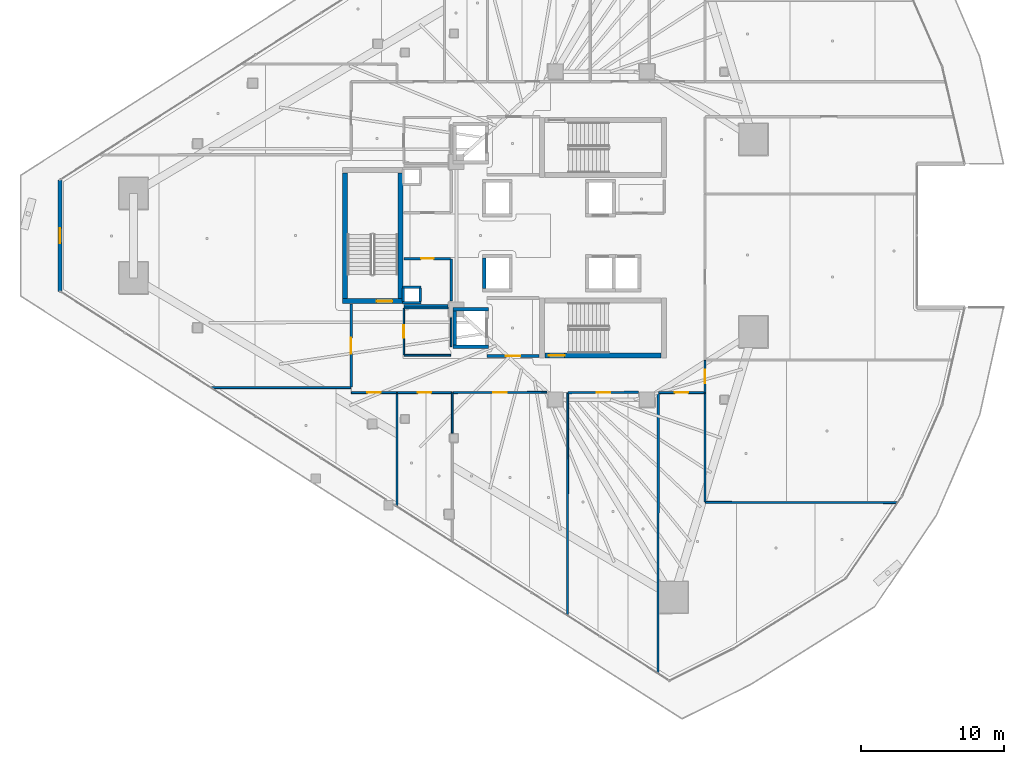
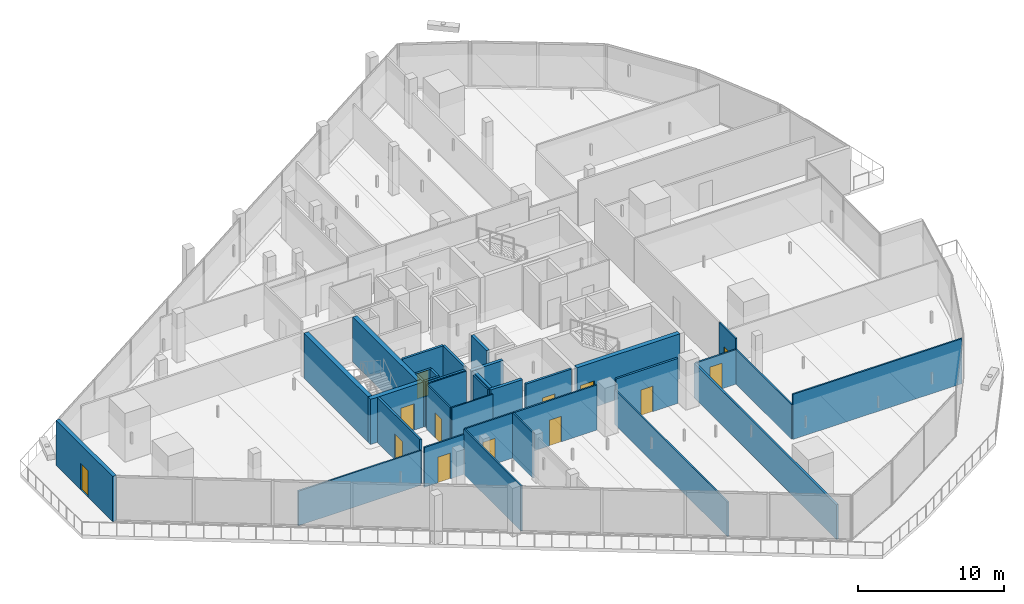
# One storey, part 29 of 44: 35 walls, 13 doors, 13 openings.
"""IFC4 building model written with IfcOpenShell, lengths in metres."""

from ifc_helpers import new_model, si_unit, direction, frame, frame_2d, origin, place, context, subcontext, project, spatial, rectangle, extrude, material, layer, layer_set, type_object, element, fill, save


model = new_model("IFC4")

# Units and contexts
model_context = context("Model", 3, precision=1e-05, world=origin(), true_north=direction((0.0, 1.0)))
body_context = subcontext(model_context, "Body", "Model", "MODEL_VIEW")
ifc_project = project(units=[si_unit("LENGTHUNIT", "METRE"), si_unit("AREAUNIT", "SQUARE_METRE"), si_unit("VOLUMEUNIT", "CUBIC_METRE"), si_unit("PLANEANGLEUNIT", "RADIAN"), si_unit("MASSUNIT", "GRAM", prefix="KILO")], contexts=[model_context])

# Site, building, storey
site_placement = place(None, origin())
site = spatial("IfcSite", under=ifc_project, at=site_placement, CompositionType="ELEMENT")
building_placement = place(site_placement, origin())
building = spatial("IfcBuilding", under=site, at=building_placement, Name="Qorvath Tower", CompositionType="ELEMENT")
storey_placement = place(building_placement, frame((0.0, 0.0, 113.85009765625)))
storey = spatial("IfcBuildingStorey", under=building, at=storey_placement, Name="L25", CompositionType="ELEMENT", Elevation=113.85009765625)

# Walls
ifc_material_1 = material(Name="Gypsum shaftliner on steel studs", Category="steel")
ifc_layer_1 = layer(ifc_material_1, 0.179931640625)
ifc_layer_set_1 = layer_set([ifc_layer_1], Name="FW-LOBBY")
wall_type_1 = type_object("IfcWallType", Name="FW-LOBBY", PredefinedType="PARTITIONING", material=ifc_layer_set_1)
for number, where, z_axis, x_axis, name in (
    (1, (-32.989990234375, -4.675048828125, 0.0), (0.0, 0.0, 1.0), (-1.0, 0.0, 0.0), "MEP Riser Shaft Enclosure Wall S-L25-S"),
    (2, (-34.260009765625, -3.594970703125, 0.0), (0.0, 0.0, 1.0), (1.0, 0.0, 0.0), "MEP Riser Shaft Enclosure Wall S-L25-N"),
):
    element("IfcWall", number, at=place(storey_placement, frame(where, z_axis=z_axis, x_axis=x_axis)), inside=storey, type_object=wall_type_1, Name=name, PredefinedType="PARTITIONING", context=body_context, shape_type="SweptSolid", body=[
        extrude(rectangle(XDim=1.27001953125, YDim=0.179931640625, at=frame_2d((0.635009765625, 0.0))), origin(), (0.0, 0.0, 1.0), 3.77001953125),
    ])
for number, where, z_axis, x_axis, name in (
    (3, (-34.205078125, -4.610107421875, 0.0), (0.0, 0.0, 1.0), (0.0, 1.0, 0.0), "MEP Riser Shaft Enclosure Wall S-L25-W"),
    (4, (-33.044921875, -3.659912109375, 0.0), (0.0, 0.0, 1.0), (0.0, -1.0, 0.0), "MEP Riser Shaft Enclosure Wall S-L25-E"),
):
    element("IfcWall", number, at=place(storey_placement, frame(where, z_axis=z_axis, x_axis=x_axis)), inside=storey, type_object=wall_type_1, Name=name, PredefinedType="PARTITIONING", context=body_context, shape_type="SweptSolid", body=[
        extrude(rectangle(XDim=0.9501953125, YDim=0.179931640625, at=frame_2d((0.47509765625, 0.0))), origin(), (0.0, 0.0, 1.0), 3.77001953125),
    ])

# Wall, opening, door
wall_1_placement = place(storey_placement, frame((-28.35498046875, -8.39990234375, 0.0), z_axis=(0.0, 0.0, 1.0), x_axis=(1.0, 0.0, 0.0)))
wall_1 = element("IfcWall", 5, at=wall_1_placement, inside=storey, type_object=wall_type_1, Name="Interior Partition IW-T1-L25-003", PredefinedType="PARTITIONING", context=body_context, shape_type="SweptSolid", body=[
    extrude(rectangle(XDim=3.6220703125, YDim=0.179931640625, at=frame_2d((1.81103515625, 0.0))), origin(), (0.0, 0.0, 1.0), 3.77001953125),
])
opening_1_placement = place(wall_1_placement, frame((1.31103515625, 0.0, 0.0)))
opening_1 = element("IfcOpeningElement", 6, at=opening_1_placement, cuts=wall_1, Name="Opening D-T1-L25-21", PredefinedType="OPENING", context=body_context, shape_type="SweptSolid", body=[
    extrude(rectangle(XDim=1.0, YDim=2.14990234375, at=frame_2d((0.5, 1.074951171875))), frame((0.0, 0.10009765625, 0.0), z_axis=(0.0, -1.0, 0.0), x_axis=(1.0, 0.0, 0.0)), (0.0, 0.0, 1.0), 0.199951171875),
])
ifc_material_2 = material(Name="Painted galvanised hollow metal", Category="steel")
door_type_1 = type_object("IfcDoorType", Name="FD-60", OperationType="NOTDEFINED", PredefinedType="DOOR", material=ifc_material_2)
door_1_placement = place(opening_1_placement, origin())
door_1 = element("IfcDoor", 7, at=door_1_placement, inside=storey, type_object=door_type_1, Name="Lobby Fire Service Elevator South Door D-T1-L25-21", OperationType="SINGLE_SWING_RIGHT", OverallHeight=2.14990234375, OverallWidth=1.0, PredefinedType="DOOR", context=body_context, shape_type="SweptSolid", body=[
    extrude(rectangle(XDim=1.0, YDim=2.14990234375, at=frame_2d((0.5, 1.074951171875))), frame((0.0, 0.02490234375, 0.0), z_axis=(0.0, -1.0, 0.0), x_axis=(1.0, 0.0, 0.0)), (0.0, 0.0, 1.0), 0.050048828125),
])
fill(opening_1, door_1)

# Walls
wall_2_placement = place(storey_placement, frame((-34.15478515625, -4.89990234375, 0.0), z_axis=(0.0, 0.0, 1.0), x_axis=(1.0, 0.0, 0.0)))
element("IfcWall", 8, at=wall_2_placement, inside=storey, type_object=wall_type_1, Name="Interior Partition IW-T1-L25-018", PredefinedType="PARTITIONING", context=body_context, shape_type="SweptSolid", body=[
    extrude(rectangle(XDim=3.064697265625, YDim=0.179931640625, at=frame_2d((1.5322265625, 0.0))), origin(), (0.0, 0.0, 1.0), 3.77001953125),
])
wall_3_placement = place(storey_placement, frame((-30.8798828125, -4.56005859375, 0.0), z_axis=(0.0, 0.0, 1.0), x_axis=(0.0, 1.0, 0.0)))
element("IfcWall", 9, at=wall_3_placement, inside=storey, type_object=wall_type_1, Name="Interior Partition IW-T1-L25-019", PredefinedType="PARTITIONING", context=body_context, shape_type="SweptSolid", body=[
    extrude(rectangle(XDim=2.93505859375, YDim=0.179931640625, at=frame_2d((1.467529296875, 0.0))), origin(), (0.0, 0.0, 1.0), 3.77001953125),
])

# Wall, opening, door
wall_4_placement = place(storey_placement, frame((-30.90478515625, -1.60009765625, 0.0), z_axis=(0.0, 0.0, 1.0), x_axis=(-1.0, 0.0, 0.0)))
wall_4 = element("IfcWall", 10, at=wall_4_placement, inside=storey, type_object=wall_type_1, Name="Interior Partition IW-T1-L25-020", PredefinedType="PARTITIONING", context=body_context, shape_type="SweptSolid", body=[
    extrude(rectangle(XDim=3.25, YDim=0.179931640625, at=frame_2d((1.625, 0.0))), origin(), (0.0, 0.0, 1.0), 3.77001953125),
])
opening_2_placement = place(wall_4_placement, frame((1.18505859375, 0.0, 0.0)))
opening_2 = element("IfcOpeningElement", 11, at=opening_2_placement, cuts=wall_4, Name="Opening D-T1-L25-05", PredefinedType="OPENING", context=body_context, shape_type="SweptSolid", body=[
    extrude(rectangle(XDim=0.8798828125, YDim=2.10009765625, at=frame_2d((0.43994140625, 1.050048828125))), frame((0.0, 0.10009765625, 0.0), z_axis=(0.0, -1.0, 0.0), x_axis=(1.0, 0.0, 0.0)), (0.0, 0.0, 1.0), 0.199951171875),
])
ifc_material_3 = material(Name="Painted galvanised hollow metal", Category="steel")
door_type_2 = type_object("IfcDoorType", Name="FD-60N", OperationType="NOTDEFINED", PredefinedType="DOOR", material=ifc_material_3)
door_2_placement = place(opening_2_placement, origin())
door_2 = element("IfcDoor", 12, at=door_2_placement, inside=storey, type_object=door_type_2, Name="Core electrical room L25 Door D-T1-L25-05", OperationType="SINGLE_SWING_RIGHT", OverallHeight=2.10009765625, OverallWidth=0.8798828125, PredefinedType="DOOR", context=body_context, shape_type="SweptSolid", body=[
    extrude(rectangle(XDim=0.8798828125, YDim=2.10009765625, at=frame_2d((0.43994140625, 1.050048828125))), frame((0.0, 0.02490234375, 0.0), z_axis=(0.0, -1.0, 0.0), x_axis=(1.0, 0.0, 0.0)), (0.0, 0.0, 1.0), 0.050048828125),
])
fill(opening_2, door_2)

ifc_material_4 = material(Name="Double acoustic gypsum board on steel studs", Category="steel")
ifc_layer_2 = layer(ifc_material_4, 0.159912109375)
ifc_layer_set_2 = layer_set([ifc_layer_2], Name="IW-ACOUSTIC-160")
wall_type_2 = type_object("IfcWallType", Name="IW-ACOUSTIC-160", PredefinedType="PARTITIONING", material=ifc_layer_set_2)
wall_5_placement = place(storey_placement, frame((-17.7900390625, -10.938232421875, 0.0), z_axis=(0.0, 0.0, 1.0), x_axis=(-0.99999189155, -0.004027013186, 0.0)))
wall_5 = element("IfcWall", 13, at=wall_5_placement, inside=storey, type_object=wall_type_2, Name="Interior Partition IW-T1-L25-042", PredefinedType="PARTITIONING", context=body_context, shape_type="SweptSolid", body=[
    extrude(rectangle(XDim=4.91064453125, YDim=0.159912109375, at=frame_2d((2.455322265625, 0.0))), origin(), (0.0, 0.0, 1.0), 3.77001953125),
])
opening_3_placement = place(wall_5_placement, frame((1.98046875, 0.0, 0.0)))
opening_3 = element("IfcOpeningElement", 14, at=opening_3_placement, cuts=wall_5, Name="Opening D-T1-L25-13", PredefinedType="OPENING", context=body_context, shape_type="SweptSolid", body=[
    extrude(rectangle(XDim=0.949951171875, YDim=2.14990234375, at=frame_2d((0.47509765625, 1.074951171875))), frame((0.0, 0.08984375, 0.0), z_axis=(0.0, -1.0, 0.0), x_axis=(1.0, 0.0, 0.0)), (0.0, 0.0, 1.0), 0.179931640625),
])
ifc_material_5 = material(Name="Solid-core American white oak veneer", Category="wood")
door_type_3 = type_object("IfcDoorType", Name="D-01", OperationType="NOTDEFINED", PredefinedType="DOOR", material=ifc_material_5)
door_3_placement = place(opening_3_placement, origin())
door_3 = element("IfcDoor", 15, at=door_3_placement, inside=storey, type_object=door_type_3, Name="L25-08 Breakout Reading Alcove Door D-T1-L25-13", OperationType="SINGLE_SWING_RIGHT", OverallHeight=2.14990234375, OverallWidth=0.949951171875, PredefinedType="DOOR", context=body_context, shape_type="SweptSolid", body=[
    extrude(rectangle(XDim=0.949951171875, YDim=2.14990234375, at=frame_2d((0.47509765625, 1.074951171875))), frame((0.0, 0.02490234375, 0.0), z_axis=(0.0, -1.0, 0.0), x_axis=(1.0, 0.0, 0.0)), (0.0, 0.0, 1.0), 0.050048828125),
])
fill(opening_3, door_3)

# Wall
wall_6_placement = place(storey_placement, frame((-16.43310546875, -30.493408203125, 0.0), z_axis=(0.0, 0.0, 1.0), x_axis=(0.000925983461, 0.999999571277, 0.0)))
element("IfcWall", 16, at=wall_6_placement, inside=storey, type_object=wall_type_2, Name="Interior Partition IW-T1-L25-043", PredefinedType="PARTITIONING", context=body_context, shape_type="SweptSolid", body=[
    extrude(rectangle(XDim=19.510498046875, YDim=0.159912109375, at=frame_2d((9.75537109375, 0.0))), origin(), (0.0, 0.0, 1.0), 2.885009765625),
])

# Wall, opening, door
wall_7_placement = place(storey_placement, frame((-37.85791015625, -10.57568359375, 0.0), z_axis=(0.0, 0.0, 1.0), x_axis=(0.0, 1.0, 0.0)))
wall_7 = element("IfcWall", 17, at=wall_7_placement, inside=storey, type_object=wall_type_2, Name="Interior Partition IW-T1-L25-056", PredefinedType="PARTITIONING", context=body_context, shape_type="SweptSolid", body=[
    extrude(rectangle(XDim=5.79248046875, YDim=0.159912109375, at=frame_2d((2.896240234375, 0.0))), origin(), (0.0, 0.0, 1.0), 3.77001953125),
])
opening_4_placement = place(wall_7_placement, frame((2.34619140625, 0.0, 0.0)))
opening_4 = element("IfcOpeningElement", 18, at=opening_4_placement, cuts=wall_7, Name="Opening D-T1-L25-18", PredefinedType="OPENING", context=body_context, shape_type="SweptSolid", body=[
    extrude(rectangle(XDim=1.10009765625, YDim=2.14990234375, at=frame_2d((0.550048828125, 1.074951171875))), frame((0.0, 0.08984375, 0.0), z_axis=(0.0, -1.0, 0.0), x_axis=(1.0, 0.0, 0.0)), (0.0, 0.0, 1.0), 0.179931640625),
])
ifc_material_6 = material(Name="Anodised aluminium acoustic framed glass", Category="aluminium")
door_type_4 = type_object("IfcDoorType", Name="D-03", OperationType="NOTDEFINED", PredefinedType="DOOR", material=ifc_material_6)
door_4_placement = place(opening_4_placement, origin())
door_4 = element("IfcDoor", 19, at=door_4_placement, inside=storey, type_object=door_type_4, Name="L25-14 Client Services Office Door D-T1-L25-18", OperationType="SINGLE_SWING_LEFT", OverallHeight=2.14990234375, OverallWidth=1.10009765625, PredefinedType="DOOR", context=body_context, shape_type="SweptSolid", body=[
    extrude(rectangle(XDim=1.10009765625, YDim=2.14990234375, at=frame_2d((0.550048828125, 1.074951171875))), frame((0.0, 0.02490234375, 0.0), z_axis=(0.0, -1.0, 0.0), x_axis=(1.0, 0.0, 0.0)), (0.0, 0.0, 1.0), 0.050048828125),
])
fill(opening_4, door_4)

ifc_material_7 = material(Name="Gypsum board on metal studs with mineral wool", Category="gypsum")
ifc_layer_3 = layer(ifc_material_7, 0.125)
ifc_layer_set_3 = layer_set([ifc_layer_3], Name="IW-PART-125")
wall_type_3 = type_object("IfcWallType", Name="IW-PART-125", PredefinedType="PARTITIONING", material=ifc_layer_set_3)
wall_8_placement = place(storey_placement, frame((-30.816650390625, -10.9580078125, 0.0), z_axis=(0.0, 0.0, 1.0), x_axis=(-1.0, 0.0, 0.0)))
wall_8 = element("IfcWall", 20, at=wall_8_placement, inside=storey, type_object=wall_type_3, Name="Interior Partition IW-T1-L25-035", PredefinedType="PARTITIONING", context=body_context, shape_type="SweptSolid", body=[
    extrude(rectangle(XDim=3.808349609375, YDim=0.125, at=frame_2d((1.904296875, 0.0))), origin(), (0.0, 0.0, 1.0), 3.77001953125),
])
opening_5_placement = place(wall_8_placement, frame((1.42919921875, 0.0, 0.0)))
opening_5 = element("IfcOpeningElement", 21, at=opening_5_placement, cuts=wall_8, Name="Opening D-T1-L25-11", PredefinedType="OPENING", context=body_context, shape_type="SweptSolid", body=[
    extrude(rectangle(XDim=0.949951171875, YDim=2.14990234375, at=frame_2d((0.47509765625, 1.074951171875))), frame((0.0, 0.072509765625, 0.0), z_axis=(0.0, -1.0, 0.0), x_axis=(1.0, 0.0, 0.0)), (0.0, 0.0, 1.0), 0.14501953125),
])
door_5_placement = place(opening_5_placement, origin())
door_5 = element("IfcDoor", 22, at=door_5_placement, inside=storey, type_object=door_type_3, Name="L25-06 Staff Wellness Studio Door D-T1-L25-11", OperationType="SINGLE_SWING_RIGHT", OverallHeight=2.14990234375, OverallWidth=0.949951171875, PredefinedType="DOOR", context=body_context, shape_type="SweptSolid", body=[
    extrude(rectangle(XDim=0.949951171875, YDim=2.14990234375, at=frame_2d((0.47509765625, 1.074951171875))), frame((0.0, 0.02490234375, 0.0), z_axis=(0.0, -1.0, 0.0), x_axis=(1.0, 0.0, 0.0)), (0.0, 0.0, 1.0), 0.050048828125),
])
fill(opening_5, door_5)

# Walls
wall_9_placement = place(storey_placement, frame((-34.64990234375, -10.98291015625, 0.0), z_axis=(0.0, 0.0, 1.0), x_axis=(0.0, -1.0, 0.0)))
element("IfcWall", 23, at=wall_9_placement, inside=storey, type_object=wall_type_3, Name="Interior Partition IW-T1-L25-036", PredefinedType="PARTITIONING", context=body_context, shape_type="SweptSolid", body=[
    extrude(rectangle(XDim=7.86767578125, YDim=0.125, at=frame_2d((3.933837890625, 0.0))), origin(), (0.0, 0.0, 1.0), 3.77001953125),
])
wall_10_placement = place(storey_placement, frame((-30.791748046875, -13.7841796875, 0.0), z_axis=(0.0, 0.0, 1.0), x_axis=(0.0, 1.0, 0.0)))
element("IfcWall", 24, at=wall_10_placement, inside=storey, type_object=wall_type_3, Name="Interior Partition IW-T1-L25-039", PredefinedType="PARTITIONING", context=body_context, shape_type="SweptSolid", body=[
    extrude(rectangle(XDim=2.80126953125, YDim=0.125, at=frame_2d((1.400634765625, 0.0))), origin(), (0.0, 0.0, 1.0), 3.77001953125),
])

# Wall, opening, door
wall_11_placement = place(storey_placement, frame((-24.18994140625, -10.938232421875, 0.0), z_axis=(0.0, 0.0, 1.0), x_axis=(-0.999995468533, -0.003010467292, 0.0)))
wall_11 = element("IfcWall", 25, at=wall_11_placement, inside=storey, type_object=wall_type_3, Name="Interior Partition IW-T1-L25-040", PredefinedType="PARTITIONING", context=body_context, shape_type="SweptSolid", body=[
    extrude(rectangle(XDim=6.56884765625, YDim=0.125, at=frame_2d((3.284423828125, 0.0))), origin(), (0.0, 0.0, 1.0), 3.77001953125),
])
opening_6_placement = place(wall_11_placement, frame((2.8095703125, 0.0, 0.0)))
opening_6 = element("IfcOpeningElement", 26, at=opening_6_placement, cuts=wall_11, Name="Opening D-T1-L25-12", PredefinedType="OPENING", context=body_context, shape_type="SweptSolid", body=[
    extrude(rectangle(XDim=0.949951171875, YDim=2.14990234375, at=frame_2d((0.47509765625, 1.074951171875))), frame((0.0, 0.072509765625, 0.0), z_axis=(0.0, -1.0, 0.0), x_axis=(1.0, 0.0, 0.0)), (0.0, 0.0, 1.0), 0.14501953125),
])
door_6_placement = place(opening_6_placement, origin())
door_6 = element("IfcDoor", 27, at=door_6_placement, inside=storey, type_object=door_type_3, Name="L25-07 Design Pin-Up Atelier Door D-T1-L25-12", OperationType="SINGLE_SWING_LEFT", OverallHeight=2.14990234375, OverallWidth=0.949951171875, PredefinedType="DOOR", context=body_context, shape_type="SweptSolid", body=[
    extrude(rectangle(XDim=0.949951171875, YDim=2.14990234375, at=frame_2d((0.47509765625, 1.074951171875))), frame((0.0, 0.02490234375, 0.0), z_axis=(0.0, -1.0, 0.0), x_axis=(1.0, 0.0, 0.0)), (0.0, 0.0, 1.0), 0.050048828125),
])
fill(opening_6, door_6)

# Walls
wall_12_placement = place(storey_placement, frame((-22.751708984375, -26.454833984375, 0.0), z_axis=(0.0, 0.0, 1.0), x_axis=(0.001167688914, 0.999999318251, 0.0)))
element("IfcWall", 28, at=wall_12_placement, inside=storey, type_object=wall_type_3, Name="Interior Partition IW-T1-L25-041", PredefinedType="PARTITIONING", context=body_context, shape_type="SweptSolid", body=[
    extrude(rectangle(XDim=15.471923828125, YDim=0.125, at=frame_2d((7.73583984375, 0.0))), origin(), (0.0, 0.0, 1.0), 2.885009765625),
])
wall_13_placement = place(storey_placement, frame((0.229248046875, -18.638916015625, 0.0), z_axis=(0.0, 0.0, 1.0), x_axis=(-0.999999034754, 0.001389420769, 0.0)))
element("IfcWall", 29, at=wall_13_placement, inside=storey, type_object=wall_type_3, Name="Interior Partition IW-T1-L25-044", PredefinedType="PARTITIONING", context=body_context, shape_type="SweptSolid", body=[
    extrude(rectangle(XDim=13.354248046875, YDim=0.125, at=frame_2d((6.67724609375, 0.0))), origin(), (0.0, 0.0, 1.0), 3.77001953125),
])
wall_14_placement = place(storey_placement, frame((-13.14990234375, -10.98291015625, 0.0), z_axis=(0.0, 0.0, 1.0), x_axis=(0.0, -1.0, 0.0)))
element("IfcWall", 30, at=wall_14_placement, inside=storey, type_object=wall_type_3, Name="Interior Partition IW-T1-L25-045", PredefinedType="PARTITIONING", context=body_context, shape_type="SweptSolid", body=[
    extrude(rectangle(XDim=7.612548828125, YDim=0.125, at=frame_2d((3.80615234375, 0.0))), origin(), (0.0, 0.0, 1.0), 2.889892578125),
])

# Wall, opening, door
wall_15_placement = place(storey_placement, frame((-13.1748046875, -10.9580078125, 0.0), z_axis=(0.0, 0.0, 1.0), x_axis=(-1.0, 0.0, 0.0)))
wall_15 = element("IfcWall", 31, at=wall_15_placement, inside=storey, type_object=wall_type_3, Name="Interior Partition IW-T1-L25-046", PredefinedType="PARTITIONING", context=body_context, shape_type="SweptSolid", body=[
    extrude(rectangle(XDim=3.207275390625, YDim=0.125, at=frame_2d((1.603515625, 0.0))), origin(), (0.0, 0.0, 1.0), 2.885009765625),
])
opening_7_placement = place(wall_15_placement, frame((1.128662109375, 0.0, 0.0)))
opening_7 = element("IfcOpeningElement", 32, at=opening_7_placement, cuts=wall_15, Name="Opening D-T1-L25-14", PredefinedType="OPENING", context=body_context, shape_type="SweptSolid", body=[
    extrude(rectangle(XDim=0.949951171875, YDim=2.14990234375, at=frame_2d((0.47509765625, 1.074951171875))), frame((0.0, 0.072509765625, 0.0), z_axis=(0.0, -1.0, 0.0), x_axis=(1.0, 0.0, 0.0)), (0.0, 0.0, 1.0), 0.14501953125),
])
door_7_placement = place(opening_7_placement, origin())
door_7 = element("IfcDoor", 33, at=door_7_placement, inside=storey, type_object=door_type_3, Name="L25-09 Quantitative Research Studio Door D-T1-L25-14", OperationType="SINGLE_SWING_LEFT", OverallHeight=2.14990234375, OverallWidth=0.949951171875, PredefinedType="DOOR", context=body_context, shape_type="SweptSolid", body=[
    extrude(rectangle(XDim=0.949951171875, YDim=2.14990234375, at=frame_2d((0.47509765625, 1.074951171875))), frame((0.0, 0.02490234375, 0.0), z_axis=(0.0, -1.0, 0.0), x_axis=(1.0, 0.0, 0.0)), (0.0, 0.0, 1.0), 0.050048828125),
])
fill(opening_7, door_7)

wall_16_placement = place(storey_placement, frame((-13.14208984375, -8.701904296875, 0.0), z_axis=(0.0, 0.0, 1.0), x_axis=(0.0, -1.0, 0.0)))
wall_16 = element("IfcWall", 34, at=wall_16_placement, inside=storey, type_object=wall_type_3, Name="Interior Partition IW-T1-L25-048", PredefinedType="PARTITIONING", context=body_context, shape_type="SweptSolid", body=[
    extrude(rectangle(XDim=2.256103515625, YDim=0.125, at=frame_2d((1.1279296875, 0.0))), origin(), (0.0, 0.0, 1.0), 3.77001953125),
])
opening_8_placement = place(wall_16_placement, frame((0.653076171875, 0.0, 0.0)))
opening_8 = element("IfcOpeningElement", 35, at=opening_8_placement, cuts=wall_16, Name="Opening D-T1-L25-15", PredefinedType="OPENING", context=body_context, shape_type="SweptSolid", body=[
    extrude(rectangle(XDim=0.949951171875, YDim=2.14990234375, at=frame_2d((0.47509765625, 1.074951171875))), frame((0.0, 0.072509765625, 0.0), z_axis=(0.0, -1.0, 0.0), x_axis=(1.0, 0.0, 0.0)), (0.0, 0.0, 1.0), 0.14501953125),
])
door_8_placement = place(opening_8_placement, origin())
door_8 = element("IfcDoor", 36, at=door_8_placement, inside=storey, type_object=door_type_3, Name="L25-10 Engineering Documentation Suite Door D-T1-L25-15", OperationType="SINGLE_SWING_RIGHT", OverallHeight=2.14990234375, OverallWidth=0.949951171875, PredefinedType="DOOR", context=body_context, shape_type="SweptSolid", body=[
    extrude(rectangle(XDim=0.949951171875, YDim=2.14990234375, at=frame_2d((0.47509765625, 1.074951171875))), frame((0.0, 0.02490234375, 0.0), z_axis=(0.0, -1.0, 0.0), x_axis=(1.0, 0.0, 0.0)), (0.0, 0.0, 1.0), 0.050048828125),
])
fill(opening_8, door_8)

wall_17_placement = place(storey_placement, frame((-34.68310546875, -10.9580078125, 0.0), z_axis=(0.0, 0.0, 1.0), x_axis=(-1.0, 0.0, 0.0)))
wall_17 = element("IfcWall", 37, at=wall_17_placement, inside=storey, type_object=wall_type_3, Name="Interior Partition IW-T1-L25-054", PredefinedType="PARTITIONING", context=body_context, shape_type="SweptSolid", body=[
    extrude(rectangle(XDim=3.14990234375, YDim=0.125, at=frame_2d((1.574951171875, 0.0))), origin(), (0.0, 0.0, 1.0), 3.333984375),
])
opening_9_placement = place(wall_17_placement, frame((1.099853515625, 0.0, 0.0)))
opening_9 = element("IfcOpeningElement", 38, at=opening_9_placement, cuts=wall_17, Name="Opening D-T1-L25-22", PredefinedType="OPENING", context=body_context, shape_type="SweptSolid", body=[
    extrude(rectangle(XDim=0.949951171875, YDim=2.14990234375, at=frame_2d((0.47509765625, 1.074951171875))), frame((0.0, 0.072509765625, 0.0), z_axis=(0.0, -1.0, 0.0), x_axis=(1.0, 0.0, 0.0)), (0.0, 0.0, 1.0), 0.14501953125),
])
door_9_placement = place(opening_9_placement, origin())
door_9 = element("IfcDoor", 39, at=door_9_placement, inside=storey, type_object=door_type_3, Name="L25-13 Staff Refreshment Pantry and Coffee Bar Door D-T1-L25-22", OperationType="SINGLE_SWING_LEFT", OverallHeight=2.14990234375, OverallWidth=0.949951171875, PredefinedType="DOOR", context=body_context, shape_type="SweptSolid", body=[
    extrude(rectangle(XDim=0.949951171875, YDim=2.14990234375, at=frame_2d((0.47509765625, 1.074951171875))), frame((0.0, 0.02490234375, 0.0), z_axis=(0.0, -1.0, 0.0), x_axis=(1.0, 0.0, 0.0)), (0.0, 0.0, 1.0), 0.050048828125),
])
fill(opening_9, door_9)

# Walls
wall_18_placement = place(storey_placement, frame((-37.8828125, -10.6083984375, 0.0), z_axis=(0.0, 0.0, 1.0), x_axis=(-1.0, 0.0, 0.0)))
element("IfcWall", 40, at=wall_18_placement, inside=storey, type_object=wall_type_3, Name="Interior Partition IW-T1-L25-055", PredefinedType="PARTITIONING", context=body_context, shape_type="SweptSolid", body=[
    extrude(rectangle(XDim=9.7080078125, YDim=0.125, at=frame_2d((4.85400390625, 0.0))), origin(), (0.0, 0.0, 1.0), 2.889892578125),
])
ifc_material_8 = material(Name="Moisture-resistant cement board on metal studs", Category="gypsum")
ifc_layer_4 = layer(ifc_material_8, 0.110107421875)
ifc_layer_set_4 = layer_set([ifc_layer_4], Name="IW-WC-110")
wall_type_4 = type_object("IfcWallType", Name="IW-WC-110", PredefinedType="PARTITIONING", material=ifc_layer_set_4)
wall_19_placement = place(storey_placement, frame((-34.15478515625, -8.35009765625, 0.0), z_axis=(0.0, 0.0, 1.0), x_axis=(1.0, 0.0, 0.0)))
element("IfcWall", 41, at=wall_19_placement, inside=storey, type_object=wall_type_4, Name="Interior Partition IW-T1-L25-009", PredefinedType="PARTITIONING", context=body_context, shape_type="SweptSolid", body=[
    extrude(rectangle(XDim=3.25, YDim=0.110107421875, at=frame_2d((1.625, 0.0))), origin(), (0.0, 0.0, 1.0), 3.77001953125),
])
wall_20_placement = place(storey_placement, frame((-30.8798828125, -7.742919921875, 0.0), z_axis=(0.0, 0.0, 1.0), x_axis=(0.0, 1.0, 0.0)))
element("IfcWall", 42, at=wall_20_placement, inside=storey, type_object=wall_type_4, Name="Interior Partition IW-T1-L25-010", PredefinedType="PARTITIONING", context=body_context, shape_type="SweptSolid", body=[
    extrude(rectangle(XDim=2.0029296875, YDim=0.110107421875, at=frame_2d((1.00146484375, 0.0))), origin(), (0.0, 0.0, 1.0), 3.77001953125),
])
wall_21_placement = place(storey_placement, frame((-31.090087890625, -5.050048828125, 0.0), z_axis=(0.0, 0.0, 1.0), x_axis=(-1.0, 0.0, 0.0)))
element("IfcWall", 43, at=wall_21_placement, inside=storey, type_object=wall_type_4, Name="Interior Partition IW-T1-L25-011", PredefinedType="PARTITIONING", context=body_context, shape_type="SweptSolid", body=[
    extrude(rectangle(XDim=3.064697265625, YDim=0.110107421875, at=frame_2d((1.5322265625, 0.0))), origin(), (0.0, 0.0, 1.0), 3.77001953125),
])

# Wall, opening, door
wall_22_placement = place(storey_placement, frame((-34.179931640625, -5.074951171875, 0.0), z_axis=(0.0, 0.0, 1.0), x_axis=(0.0, -1.0, 0.0)))
wall_22 = element("IfcWall", 44, at=wall_22_placement, inside=storey, type_object=wall_type_4, Name="Interior Partition IW-T1-L25-012", PredefinedType="PARTITIONING", context=body_context, shape_type="SweptSolid", body=[
    extrude(rectangle(XDim=3.250244140625, YDim=0.110107421875, at=frame_2d((1.625, 0.0))), origin(), (0.0, 0.0, 1.0), 3.77001953125),
])
opening_10_placement = place(wall_22_placement, frame((1.18505859375, 0.0, 0.0)))
opening_10 = element("IfcOpeningElement", 45, at=opening_10_placement, cuts=wall_22, Name="Opening D-T1-L25-02", PredefinedType="OPENING", context=body_context, shape_type="SweptSolid", body=[
    extrude(rectangle(XDim=0.8798828125, YDim=2.10009765625, at=frame_2d((0.43994140625, 1.050048828125))), frame((0.0, 0.06494140625, 0.0), z_axis=(0.0, -1.0, 0.0), x_axis=(1.0, 0.0, 0.0)), (0.0, 0.0, 1.0), 0.130126953125),
])
ifc_material_9 = material(Name="Solid-core oak with acoustic drop seal", Category="wood")
door_type_5 = type_object("IfcDoorType", Name="D-02", OperationType="NOTDEFINED", PredefinedType="DOOR", material=ifc_material_9)
door_10_placement = place(opening_10_placement, origin())
door_10 = element("IfcDoor", 46, at=door_10_placement, inside=storey, type_object=door_type_5, Name="Accessible WC South L25 Door D-T1-L25-02", OperationType="SINGLE_SWING_LEFT", OverallHeight=2.10009765625, OverallWidth=0.8798828125, PredefinedType="DOOR", context=body_context, shape_type="SweptSolid", body=[
    extrude(rectangle(XDim=0.8798828125, YDim=2.10009765625, at=frame_2d((0.43994140625, 1.050048828125))), frame((0.0, 0.02490234375, 0.0), z_axis=(0.0, -1.0, 0.0), x_axis=(1.0, 0.0, 0.0)), (0.0, 0.0, 1.0), 0.050048828125),
])
fill(opening_10, door_10)

# Walls
ifc_material_10 = material(Name="Concrete C60/75", Category="concrete")
ifc_layer_5 = layer(ifc_material_10, 0.260009765625)
ifc_layer_set_5 = layer_set([ifc_layer_5], Name="SW-SHAFT")
wall_type_5 = type_object("IfcWallType", Name="SW-SHAFT", PredefinedType="SHEAR", material=ifc_layer_set_5)
for number, where, z_axis, x_axis, name in (
    (47, (-28.260009765625, -7.77001953125, 0.0), (0.0, 0.0, 1.0), (-1.0, 0.0, 0.0), "Hoistway Wall FSAE-2 L25 S"),
    (48, (-30.739990234375, -5.1298828125, 0.0), (0.0, 0.0, 1.0), (1.0, 0.0, 0.0), "Hoistway Wall FSAE-2 L25 N"),
):
    element("IfcWall", number, at=place(storey_placement, frame(where, z_axis=z_axis, x_axis=x_axis)), inside=storey, type_object=wall_type_5, Name=name, PredefinedType="SHEAR", context=body_context, shape_type="SweptSolid", body=[
        extrude(rectangle(XDim=2.47998046875, YDim=0.239990234375, at=frame_2d((1.239990234375, 0.0))), origin(), (0.0, 0.0, 1.0), 3.77001953125),
    ])
wall_23_placement = place(storey_placement, frame((-30.6201171875, -7.637939453125, 0.0), z_axis=(0.0, 0.0, 1.0), x_axis=(0.0, 1.0, 0.0)))
element("IfcWall", 49, at=wall_23_placement, inside=storey, type_object=wall_type_5, Name="Hoistway Wall FSAE-2 L25 W", PredefinedType="SHEAR", context=body_context, shape_type="SweptSolid", body=[
    extrude(rectangle(XDim=2.3759765625, YDim=0.239990234375, at=frame_2d((1.18798828125, 0.0))), origin(), (0.0, 0.0, 1.0), 3.77001953125),
])
wall_24_placement = place(storey_placement, frame((-28.570068359375, -3.68798828125, 0.0), z_axis=(0.0, 0.0, 1.0), x_axis=(0.0, 1.0, 0.0)))
element("IfcWall", 50, at=wall_24_placement, inside=storey, type_object=wall_type_5, Name="Hoistway Wall PS-2 L25 W", PredefinedType="SHEAR", context=body_context, shape_type="SweptSolid", body=[
    extrude(rectangle(XDim=2.1259765625, YDim=0.239990234375, at=frame_2d((1.06298828125, 0.0))), origin(), (0.0, 0.0, 1.0), 3.77001953125),
])

# Wall, opening, door
ifc_material_11 = material(Name="Concrete C60/75", Category="concrete")
ifc_layer_6 = layer(ifc_material_11, 0.35009765625)
ifc_layer_set_6 = layer_set([ifc_layer_6], Name="SW-STAIR")
wall_type_6 = type_object("IfcWallType", Name="SW-STAIR", PredefinedType="SHEAR", material=ifc_layer_set_6)
wall_25_placement = place(storey_placement, frame((-24.3349609375, -8.375, 0.0), z_axis=(0.0, 0.0, 1.0), x_axis=(1.0, 0.0, 0.0)))
wall_25 = element("IfcWall", 51, at=wall_25_placement, inside=storey, type_object=wall_type_6, Name="Stair TS2 Shear Wall L25 LEFT", PredefinedType="SHEAR", context=body_context, shape_type="SweptSolid", body=[
    extrude(rectangle(XDim=8.119873046875, YDim=0.35009765625, at=frame_2d((4.06005859375, 0.0))), origin(), (0.0, 0.0, 1.0), 3.77001953125),
])
opening_11_placement = place(wall_25_placement, frame((0.280029296875, 0.0, 0.0)))
opening_11 = element("IfcOpeningElement", 52, at=opening_11_placement, cuts=wall_25, Name="Opening D-TS2-L25", PredefinedType="OPENING", context=body_context, shape_type="SweptSolid", body=[
    extrude(rectangle(XDim=1.10009765625, YDim=2.199951171875, at=frame_2d((0.550048828125, 1.10009765625))), frame((0.0, 0.18505859375, 0.0), z_axis=(0.0, -1.0, 0.0), x_axis=(1.0, 0.0, 0.0)), (0.0, 0.0, 1.0), 0.3701171875),
])
ifc_material_12 = material(Name="Painted galvanised hollow metal", Category="steel")
door_type_6 = type_object("IfcDoorType", Name="FD-90", OperationType="NOTDEFINED", PredefinedType="DOOR", material=ifc_material_12)
door_11_placement = place(opening_11_placement, origin())
door_11 = element("IfcDoor", 53, at=door_11_placement, inside=storey, type_object=door_type_6, Name="Stair TS2 Fire Door L25", OperationType="SINGLE_SWING_RIGHT", OverallHeight=2.199951171875, OverallWidth=1.10009765625, PredefinedType="DOOR", context=body_context, shape_type="SweptSolid", body=[
    extrude(rectangle(XDim=1.10009765625, YDim=2.199951171875, at=frame_2d((0.550048828125, 1.10009765625))), frame((0.0, 0.02490234375, 0.0), z_axis=(0.0, -1.0, 0.0), x_axis=(1.0, 0.0, 0.0)), (0.0, 0.0, 1.0), 0.050048828125),
])
fill(opening_11, door_11)

wall_26_placement = place(storey_placement, frame((-38.4599609375, -4.574951171875, 0.0), z_axis=(0.0, 0.0, 1.0), x_axis=(1.0, 0.0, 0.0)))
wall_26 = element("IfcWall", 54, at=wall_26_placement, inside=storey, type_object=wall_type_6, Name="Stair TS3 Shear Wall L25 NEAR", PredefinedType="SHEAR", context=body_context, shape_type="SweptSolid", body=[
    extrude(rectangle(XDim=4.2099609375, YDim=0.35009765625, at=frame_2d((2.10498046875, 0.0))), origin(), (0.0, 0.0, 1.0), 3.77001953125),
])
opening_12_placement = place(wall_26_placement, frame((2.389892578125, 0.0, 0.0)))
opening_12 = element("IfcOpeningElement", 55, at=opening_12_placement, cuts=wall_26, Name="Opening D-TS3-L25", PredefinedType="OPENING", context=body_context, shape_type="SweptSolid", body=[
    extrude(rectangle(XDim=1.10009765625, YDim=2.199951171875, at=frame_2d((0.550048828125, 1.10009765625))), frame((0.0, 0.18505859375, 0.0), z_axis=(0.0, -1.0, 0.0), x_axis=(1.0, 0.0, 0.0)), (0.0, 0.0, 1.0), 0.3701171875),
])
door_12_placement = place(opening_12_placement, origin())
door_12 = element("IfcDoor", 56, at=door_12_placement, inside=storey, type_object=door_type_6, Name="Stair TS3 Fire Door L25", OperationType="SINGLE_SWING_RIGHT", OverallHeight=2.199951171875, OverallWidth=1.10009765625, PredefinedType="DOOR", context=body_context, shape_type="SweptSolid", body=[
    extrude(rectangle(XDim=1.10009765625, YDim=2.199951171875, at=frame_2d((0.550048828125, 1.10009765625))), frame((0.0, 0.02490234375, 0.0), z_axis=(0.0, -1.0, 0.0), x_axis=(1.0, 0.0, 0.0)), (0.0, 0.0, 1.0), 0.050048828125),
])
fill(opening_12, door_12)

# Walls
for number, where, z_axis, x_axis, name in (
    (57, (-34.425048828125, -4.385009765625, 0.0), (0.0, 0.0, 1.0), (0.0, 1.0, 0.0), "Stair TS3 Shear Wall L25 LEFT"),
    (58, (-38.284912109375, 4.385009765625, 0.0), (0.0, 0.0, 1.0), (0.0, -1.0, 0.0), "Stair TS3 Shear Wall L25 RIGHT"),
):
    element("IfcWall", number, at=place(storey_placement, frame(where, z_axis=z_axis, x_axis=x_axis)), inside=storey, type_object=wall_type_6, Name=name, PredefinedType="SHEAR", context=body_context, shape_type="SweptSolid", body=[
        extrude(rectangle(XDim=8.77001953125, YDim=0.35009765625, at=frame_2d((4.385009765625, 0.0))), origin(), (0.0, 0.0, 1.0), 3.77001953125),
    ])

# Wall, opening, door
ifc_material_13 = material(Name="Precast concrete C45/55", Category="concrete")
ifc_layer_7 = layer(ifc_material_13, 0.300048828125)
ifc_layer_set_7 = layer_set([ifc_layer_7], Name="WL-EW-LOG-300")
wall_type_7 = type_object("IfcWallType", Name="WL-EW-LOG-300", PredefinedType="SOLIDWALL", material=ifc_layer_set_7)
wall_27_placement = place(storey_placement, frame((-58.1904296875, -3.885009765625, 0.0), z_axis=(0.0, 0.0, 1.0), x_axis=(0.0, 1.0, 0.0)))
wall_27 = element("IfcWall", 59, at=wall_27_placement, inside=storey, type_object=wall_type_7, Name="Tower Precast Loggia Wall L25-1.1", PredefinedType="SOLIDWALL", context=body_context, shape_type="SweptSolid", body=[
    extrude(rectangle(XDim=7.77001953125, YDim=0.300048828125, at=frame_2d((3.885009765625, 0.0))), origin(), (0.0, 0.0, 1.0), 3.77001953125),
])
opening_13_placement = place(wall_27_placement, frame((3.360107421875, 0.0, 0.0)))
opening_13 = element("IfcOpeningElement", 60, at=opening_13_placement, cuts=wall_27, Name="Opening ED-L25-01", PredefinedType="OPENING", context=body_context, shape_type="SweptSolid", body=[
    extrude(rectangle(XDim=1.050048828125, YDim=2.199951171875, at=frame_2d((0.52490234375, 1.10009765625))), frame((0.0, 0.16015625, 0.0), z_axis=(0.0, -1.0, 0.0), x_axis=(1.0, 0.0, 0.0)), (0.0, 0.0, 1.0), 0.320068359375),
])
ifc_material_14 = material(Name="Thermally broken aluminium glazed door", Category="aluminium")
door_type_7 = type_object("IfcDoorType", Name="ED-LOG", OperationType="NOTDEFINED", PredefinedType="DOOR", material=ifc_material_14)
door_13_placement = place(opening_13_placement, origin())
door_13 = element("IfcDoor", 61, at=door_13_placement, inside=storey, type_object=door_type_7, Name="L25 Recessed Loggia Access Door 1", OperationType="SINGLE_SWING_LEFT", OverallHeight=2.199951171875, OverallWidth=1.050048828125, PredefinedType="DOOR", context=body_context, shape_type="SweptSolid", body=[
    extrude(rectangle(XDim=1.050048828125, YDim=2.199951171875, at=frame_2d((0.52490234375, 1.10009765625))), frame((0.0, 0.02490234375, 0.0), z_axis=(0.0, -1.0, 0.0), x_axis=(1.0, 0.0, 0.0)), (0.0, 0.0, 1.0), 0.050048828125),
])
fill(opening_13, door_13)

save(model, "model.ifc")
